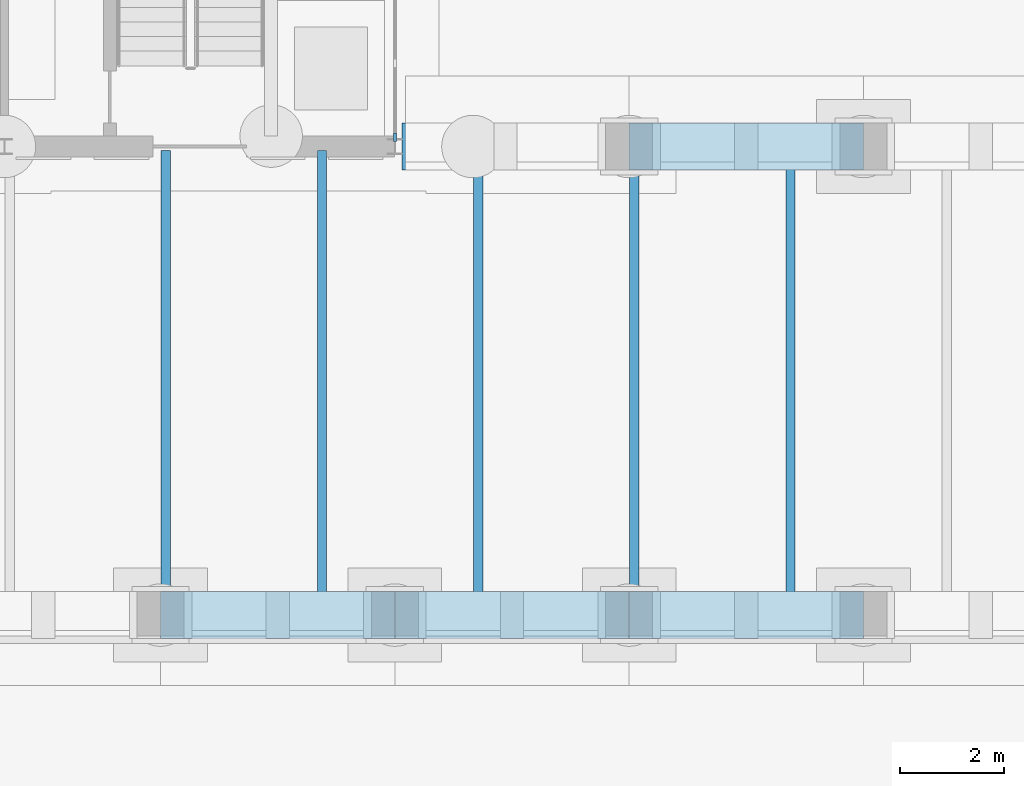
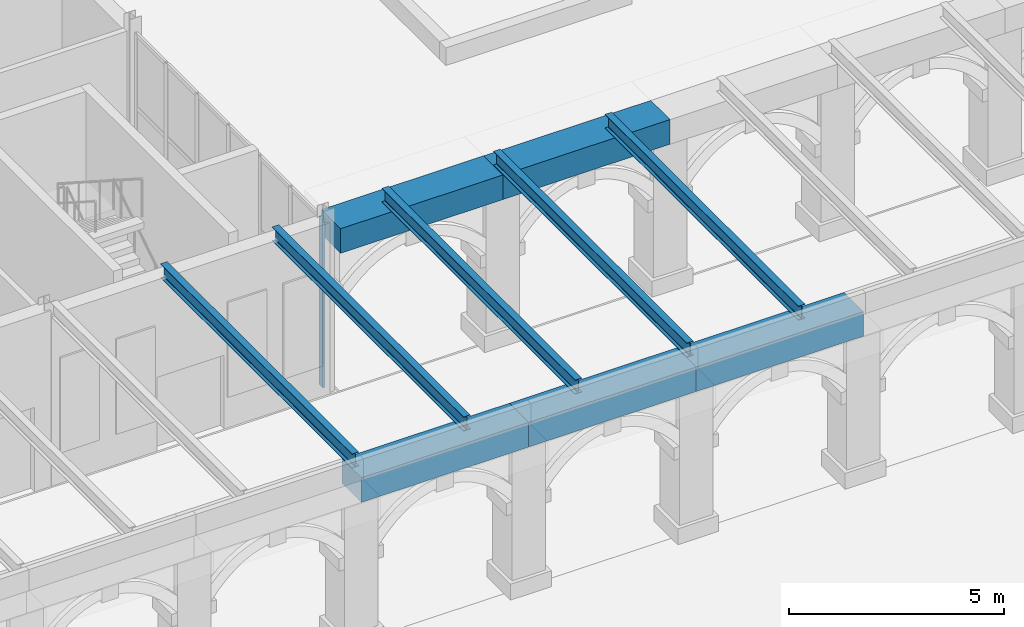
# One storey, part 45 of 168: 10 beams, 1 member, 1 element without a shape of its own.
"""IFC4 building model written with IfcOpenShell, lengths in metres."""

import ifcopenshell
import ifcopenshell.guid

model = None  # the IFC model being written
_history = None  # IfcOwnerHistory: only IFC2X3 demands one
_inside = {}  # id of a spatial element -> (the spatial element, [elements in it])
_under = {}  # id of a project, library or spatial element -> (it, [spatial elements below it])
_declared = {}  # id of a project -> (the project, [libraries it declares])
_typed = {}  # id of a type object -> (the type object, [elements of that type])
_made_of = {}  # id of a material, layer set ... -> (it, [elements and type objects made of it])


def new_model(schema):
    """Start an empty IFC model of exactly this schema.

    Asked for "IFC4X3", IfcOpenShell would pick the latest addendum, in which some entities
    have other attributes; the version numbers below select the first issue.
    IFC2X3 requires an IfcOwnerHistory on every rooted entity: one is made here for all.
    """
    global model, _history
    if schema == "IFC4X3":
        model = ifcopenshell.file(schema_version=(4, 3, 0, 0))
    else:
        model = ifcopenshell.file(schema=schema)
    _inside.clear()
    _under.clear()
    _declared.clear()
    _typed.clear()
    _made_of.clear()
    _history = None
    if model.schema == "IFC2X3":
        org = make("IfcOrganization", Name="unknown")
        user = make(
            "IfcPersonAndOrganization",
            ThePerson=make("IfcPerson", FamilyName="unknown"),
            TheOrganization=org,
        )
        app = make(
            "IfcApplication",
            ApplicationDeveloper=org,
            Version="unknown",
            ApplicationFullName="unknown",
            ApplicationIdentifier="unknown",
        )
        _history = make(
            "IfcOwnerHistory",
            OwningUser=user,
            OwningApplication=app,
            ChangeAction="ADDED",
            CreationDate=0,
        )
    return model


def make(cls, **values):
    """One entity of the class cls with the attributes given. An attribute that is None is left unset."""
    return model.create_entity(
        cls, **{name: value for name, value in values.items() if value is not None}
    )


def rooted(cls, **values):
    """An entity with a GlobalId (a new one), such as an element, a storey or a relation."""
    return make(cls, GlobalId=ifcopenshell.guid.new(), OwnerHistory=_history, **values)


def si_unit(unit_type, name, prefix=None):
    """IfcSIUnit, for example si_unit("LENGTHUNIT", "METRE", prefix="MILLI")."""
    return make("IfcSIUnit", UnitType=unit_type, Prefix=prefix, Name=name)


def assignment(units):
    """IfcUnitAssignment: the units of a project."""
    return None if units is None else make("IfcUnitAssignment", Units=units)


def point(xyz):
    """IfcCartesianPoint."""
    return None if xyz is None else make("IfcCartesianPoint", Coordinates=xyz)


def direction(xyz):
    """IfcDirection."""
    return None if xyz is None else make("IfcDirection", DirectionRatios=xyz)


def frame(location, z_axis=None, x_axis=None):
    """IfcAxis2Placement3D, a coordinate frame: its origin and axes. An axis left out is left unset."""
    return make(
        "IfcAxis2Placement3D",
        Location=point(location),
        Axis=direction(z_axis),
        RefDirection=direction(x_axis),
    )


def frame_2d(location, x_axis=None):
    """IfcAxis2Placement2D, a coordinate frame in the plane: its origin and x axis."""
    return make(
        "IfcAxis2Placement2D", Location=point(location), RefDirection=direction(x_axis)
    )


def origin():
    """The frame at (0, 0, 0) with its axes left unset."""
    return frame((0.0, 0.0, 0.0))


def origin_2d():
    """The frame at (0, 0) in the plane with its x axis left unset."""
    return frame_2d((0.0, 0.0))


def place(relative_to, where):
    """IfcLocalPlacement: puts the frame where relative to a parent placement (None: the world)."""
    return make(
        "IfcLocalPlacement", PlacementRelTo=relative_to, RelativePlacement=where
    )


def context(
    kind, dimensions, precision=None, world=None, true_north=None, identifier=None
):
    """IfcGeometricRepresentationContext, for example the 3D "Model" context."""
    return make(
        "IfcGeometricRepresentationContext",
        ContextIdentifier=identifier,
        ContextType=kind,
        CoordinateSpaceDimension=dimensions,
        Precision=precision,
        WorldCoordinateSystem=world,
        TrueNorth=true_north,
    )


def subcontext(parent, identifier, kind, view, scale=None):
    """IfcGeometricRepresentationSubContext, for example "Body" below "Model"."""
    return make(
        "IfcGeometricRepresentationSubContext",
        ContextIdentifier=identifier,
        ContextType=kind,
        ParentContext=parent,
        TargetScale=scale,
        TargetView=view,
    )


def project(units=None, contexts=None):
    """IfcProject with its units and contexts."""
    return rooted(
        "IfcProject",
        Name="project",
        RepresentationContexts=contexts,
        UnitsInContext=assignment(units),
    )


def spatial(cls, under=None, at=None, **own):
    """A site, building, storey or space (cls), placed at a placement, below another one or the project."""
    s = rooted(cls, ObjectPlacement=at, **own)
    if under is not None:
        _under.setdefault(under.id(), (under, []))[1].append(s)
    return s


def profile(cls, at=None, kind="AREA", **sizes):
    """A parametric profile (cls). Its sizes go by their IFC names, for example OverallWidth=200.0."""
    return make(cls, ProfileType=kind, Position=at, **sizes)


def rectangle(**sizes):
    """IfcRectangleProfileDef."""
    return profile("IfcRectangleProfileDef", **sizes)


def i_section(**sizes):
    """IfcIShapeProfileDef."""
    return profile("IfcIShapeProfileDef", **sizes)


def extrude(swept, where, along, depth):
    """IfcExtrudedAreaSolid: the profile swept, set in the frame where, extruded along a direction by depth."""
    return make(
        "IfcExtrudedAreaSolid",
        SweptArea=swept,
        Position=where,
        ExtrudedDirection=direction(along),
        Depth=depth,
    )


def shape(context_of_items, identifier, shape_type, items):
    """IfcShapeRepresentation: the items that make up one representation, for example the "Body"."""
    return make(
        "IfcShapeRepresentation",
        ContextOfItems=context_of_items,
        RepresentationIdentifier=identifier,
        RepresentationType=shape_type,
        Items=items,
    )


def material(Name=None, Category=None):
    """IfcMaterial."""
    return make("IfcMaterial", Name=Name, Category=Category)


def layer(
    of_material, thickness, ventilated=None, Name=None, Category=None, Priority=None
):
    """IfcMaterialLayer: one layer of a wall or slab, of a material (None: an air gap)."""
    return make(
        "IfcMaterialLayer",
        Material=of_material,
        LayerThickness=thickness,
        IsVentilated=ventilated,
        Name=Name,
        Category=Category,
        Priority=Priority,
    )


def layer_set(layers, Name=None):
    """IfcMaterialLayerSet."""
    return make("IfcMaterialLayerSet", MaterialLayers=layers, LayerSetName=Name)


def material_profile(
    of_material, cross_section, Name=None, Category=None, Priority=None
):
    """IfcMaterialProfile: a cross section and its material."""
    return make(
        "IfcMaterialProfile",
        Name=Name,
        Material=of_material,
        Profile=cross_section,
        Priority=Priority,
        Category=Category,
    )


def profile_set(profiles, Name=None, composite=None):
    """IfcMaterialProfileSet."""
    return make(
        "IfcMaterialProfileSet",
        Name=Name,
        MaterialProfiles=profiles,
        CompositeProfile=composite,
    )


def made_of(thing, what):
    """Note that an element or type object is made of a material, layer set ...; save() writes the relation."""
    if what is not None:
        _made_of.setdefault(what.id(), (what, []))[1].append(thing)
    return thing


def type_object(cls, material=None, **own):
    """A type object (cls), such as IfcWallType, which elements share."""
    return made_of(rooted(cls, **own), material)


def element(
    cls,
    number,
    at=None,
    inside=None,
    cuts=None,
    type_object=None,
    material=None,
    context=None,
    identifier="Body",
    shape_type=None,
    held_by="IfcProductDefinitionShape",
    body=None,
    shapes=None,
    **own,
):
    """One element of the class cls, such as IfcWall. Its Tag is "e" and its number.

    at: its placement. inside: the storey or other place that contains it. cuts: it is an
    opening in that element (IfcRelVoidsElement). A single representation is given by context,
    identifier, shape_type and body (its items); several are given by shapes. held_by: the class
    of the entity that holds the representations. save() writes the other relations.
    """
    e = rooted(cls, Tag="e%d" % number, ObjectPlacement=at, **own)
    if body is not None:
        shapes = [shape(context, identifier, shape_type, body)]
    if shapes is not None:
        e.Representation = make(held_by, Representations=shapes)
    if inside is not None:
        _inside.setdefault(inside.id(), (inside, []))[1].append(e)
    if cuts is not None:
        rooted(
            "IfcRelVoidsElement", RelatingBuildingElement=cuts, RelatedOpeningElement=e
        )
    if type_object is not None:
        _typed.setdefault(type_object.id(), (type_object, []))[1].append(e)
    return made_of(e, material)


def aggregate(whole, parts):
    """IfcRelAggregates: a whole, such as a stair, and the parts it consists of."""
    return rooted("IfcRelAggregates", RelatingObject=whole, RelatedObjects=parts)


def save(model, path):
    """Write the relations noted so far, then the file.

    IfcRelAggregates (storeys below a building ...), IfcRelContainedInSpatialStructure (elements
    in a storey), IfcRelDefinesByType, IfcRelAssociatesMaterial and IfcRelDeclares: one each for
    every whole, place, type object, material and project.
    """
    for whole, parts in _under.values():
        aggregate(whole, parts)
    for where, things in _inside.values():
        rooted(
            "IfcRelContainedInSpatialStructure",
            RelatedElements=things,
            RelatingStructure=where,
        )
    for kind, things in _typed.values():
        rooted("IfcRelDefinesByType", RelatedObjects=things, RelatingType=kind)
    for what, things in _made_of.values():
        rooted("IfcRelAssociatesMaterial", RelatedObjects=things, RelatingMaterial=what)
    for by, libraries in _declared.values():
        rooted("IfcRelDeclares", RelatingContext=by, RelatedDefinitions=libraries)
    model.write(path)


model = new_model("IFC4")

# Units and contexts
model_context = context("Model", 3, precision=1e-05, world=origin(), true_north=direction((0.0, 1.0)))
body_context = subcontext(model_context, "Body", "Model", "MODEL_VIEW")
ifc_project = project(units=[si_unit("LENGTHUNIT", "METRE"), si_unit("AREAUNIT", "SQUARE_METRE"), si_unit("VOLUMEUNIT", "CUBIC_METRE"), si_unit("PLANEANGLEUNIT", "RADIAN"), si_unit("MASSUNIT", "GRAM", prefix="KILO")], contexts=[model_context])

# Site, building, storey
site_placement = place(None, origin())
site = spatial("IfcSite", under=ifc_project, at=site_placement, CompositionType="ELEMENT")
building_placement = place(site_placement, origin())
building = spatial("IfcBuilding", under=site, at=building_placement, Name="Golden Quay Civic Hall", CompositionType="ELEMENT")
storey_placement = place(building_placement, origin())
storey = spatial("IfcBuildingStorey", under=building, at=storey_placement, Name="L00", CompositionType="ELEMENT", Elevation=0.0)

# Curtain wall, member
ifc_material_1 = material(Name="Glass, laminated double glazed", Category="glass")
ifc_layer = layer(ifc_material_1, 0.199951171875)
ifc_layer_set = layer_set([ifc_layer], Name="Glazed core strip curtain wall")
curtain_wall_type = type_object("IfcCurtainWallType", Name="Glazed core strip curtain wall", PredefinedType="NOTDEFINED", material=ifc_layer_set)
curtain_wall_placement = place(storey_placement, origin())
curtain_wall = element("IfcCurtainWall", 1, at=curtain_wall_placement, inside=storey, type_object=curtain_wall_type, Name="Glazed core strip curtain wall L00 8", PredefinedType="NOTDEFINED")
ifc_material_2 = material(Name="Aluminium, anodised", Category="aluminium")
ifc_material_profile_1 = material_profile(ifc_material_2, rectangle(XDim=0.06005859375, YDim=0.159912109375, at=origin_2d()), Name="Aluminium 60 x 160")
ifc_profile_set_1 = profile_set([ifc_material_profile_1], Name="Aluminium, anodised")
member_type = type_object("IfcMemberType", Name="Aluminium mullion 60 x 160", PredefinedType="MULLION", material=ifc_profile_set_1)
member_placement = place(storey_placement, frame((117.0, 0.175048828125, 0.0), z_axis=(0.0, 0.0, 1.0), x_axis=(1.0, 0.0, 0.0)))
member = element("IfcMember", 2, at=member_placement, type_object=member_type, Name="CW2 mullion 7", PredefinedType="MULLION", context=body_context, shape_type="SweptSolid", body=[
    extrude(rectangle(XDim=0.06005859375, YDim=0.159912109375, at=origin_2d()), origin(), (0.0, 0.0, 1.0), 4.800048828125),
])
aggregate(curtain_wall, [member])

# Beams
ifc_material_3 = material(Name="Concrete C40/50", Category="concrete")
ifc_material_profile_2 = material_profile(ifc_material_3, rectangle(XDim=0.89990234375, YDim=0.699951171875, at=origin_2d()), Name="RC 900x700")
ifc_profile_set_2 = profile_set([ifc_material_profile_2], Name="Concrete C40/50")
beam_type_1 = type_object("IfcBeamType", Name="Concrete spandrel beam RC 900x700", PredefinedType="SPANDREL", material=ifc_profile_set_2)
for number, where, z_axis, x_axis, name in (
    (3, (112.5, -9.0, 4.449951171875), (1.0, 0.0, 0.0), (0.0, 1.0, 0.0), "Spandrel beam outer bay 22"),
    (4, (117.0, -9.0, 4.449951171875), (1.0, 0.0, 0.0), (0.0, 1.0, 0.0), "Spandrel beam outer bay 23"),
    (5, (121.5, -9.0, 4.449951171875), (1.0, 0.0, 0.0), (0.0, 1.0, 0.0), "Spandrel beam outer bay 24"),
):
    element("IfcBeam", number, at=place(storey_placement, frame(where, z_axis=z_axis, x_axis=x_axis)), inside=storey, type_object=beam_type_1, Name=name, PredefinedType="SPANDREL", context=body_context, shape_type="SweptSolid", body=[
        extrude(rectangle(XDim=0.89990234375, YDim=0.699951171875, at=origin_2d()), origin(), (0.0, 0.0, 1.0), 4.5),
    ])
beam_1_placement = place(storey_placement, frame((117.139892578125, 0.0, 4.449951171875), z_axis=(1.0, 0.0, 0.0), x_axis=(0.0, 1.0, 0.0)))
element("IfcBeam", 6, at=beam_1_placement, inside=storey, type_object=beam_type_1, Name="Spandrel beam inner1 bay 1", PredefinedType="SPANDREL", context=body_context, shape_type="SweptSolid", body=[
    extrude(rectangle(XDim=0.89990234375, YDim=0.699951171875, at=origin_2d()), origin(), (0.0, 0.0, 1.0), 4.360107421875),
])
beam_2_placement = place(storey_placement, frame((121.5, 0.0, 4.449951171875), z_axis=(1.0, 0.0, 0.0), x_axis=(0.0, 1.0, 0.0)))
element("IfcBeam", 7, at=beam_2_placement, inside=storey, type_object=beam_type_1, Name="Spandrel beam inner1 bay 2", PredefinedType="SPANDREL", context=body_context, shape_type="SweptSolid", body=[
    extrude(rectangle(XDim=0.89990234375, YDim=0.699951171875, at=origin_2d()), origin(), (0.0, 0.0, 1.0), 4.5),
])
ifc_material_4 = material(Name="Steel S355", Category="steel")
ifc_material_profile_3 = material_profile(ifc_material_4, i_section(OverallWidth=0.179931640625, OverallDepth=0.39990234375, WebThickness=0.008544921875, FlangeThickness=0.013427734375, FilletRadius=0.02099609375, at=origin_2d()), Name="IPE 400")
ifc_profile_set_3 = profile_set([ifc_material_profile_3], Name="Steel S355")
beam_type_2 = type_object("IfcBeamType", Name="Steel terrace beam IPE 400", PredefinedType="JOIST", material=ifc_profile_set_3)
for number, where, z_axis, x_axis, name in (
    (8, (112.60009765625, -9.0, 5.0), (0.0, 1.0, 0.0), (-1.0, 0.0, 0.0), "Terrace beam 31"),
    (9, (115.60009765625, -9.0, 5.0), (0.0, 1.0, 0.0), (-1.0, 0.0, 0.0), "Terrace beam 32"),
):
    element("IfcBeam", number, at=place(storey_placement, frame(where, z_axis=z_axis, x_axis=x_axis)), inside=storey, type_object=beam_type_2, Name=name, PredefinedType="JOIST", context=body_context, shape_type="SweptSolid", body=[
        extrude(i_section(OverallWidth=0.179931640625, OverallDepth=0.39990234375, WebThickness=0.008544921875, FlangeThickness=0.013427734375, FilletRadius=0.02099609375, at=origin_2d()), origin(), (0.0, 0.0, 1.0), 8.919921875),
    ])
for number, where, z_axis, x_axis, name in (
    (10, (118.60009765625, -9.0, 5.0), (0.0, 1.0, 0.0), (-1.0, 0.0, 0.0), "Terrace beam 33"),
    (11, (121.60009765625, -9.0, 5.0), (0.0, 1.0, 0.0), (-1.0, 0.0, 0.0), "Terrace beam 34"),
    (12, (124.60009765625, -9.0, 5.0), (0.0, 1.0, 0.0), (-1.0, 0.0, 0.0), "Terrace beam 35"),
):
    element("IfcBeam", number, at=place(storey_placement, frame(where, z_axis=z_axis, x_axis=x_axis)), inside=storey, type_object=beam_type_2, Name=name, PredefinedType="JOIST", context=body_context, shape_type="SweptSolid", body=[
        extrude(i_section(OverallWidth=0.179931640625, OverallDepth=0.39990234375, WebThickness=0.008544921875, FlangeThickness=0.013427734375, FilletRadius=0.02099609375, at=origin_2d()), origin(), (0.0, 0.0, 1.0), 9.0),
    ])

save(model, "model.ifc")
